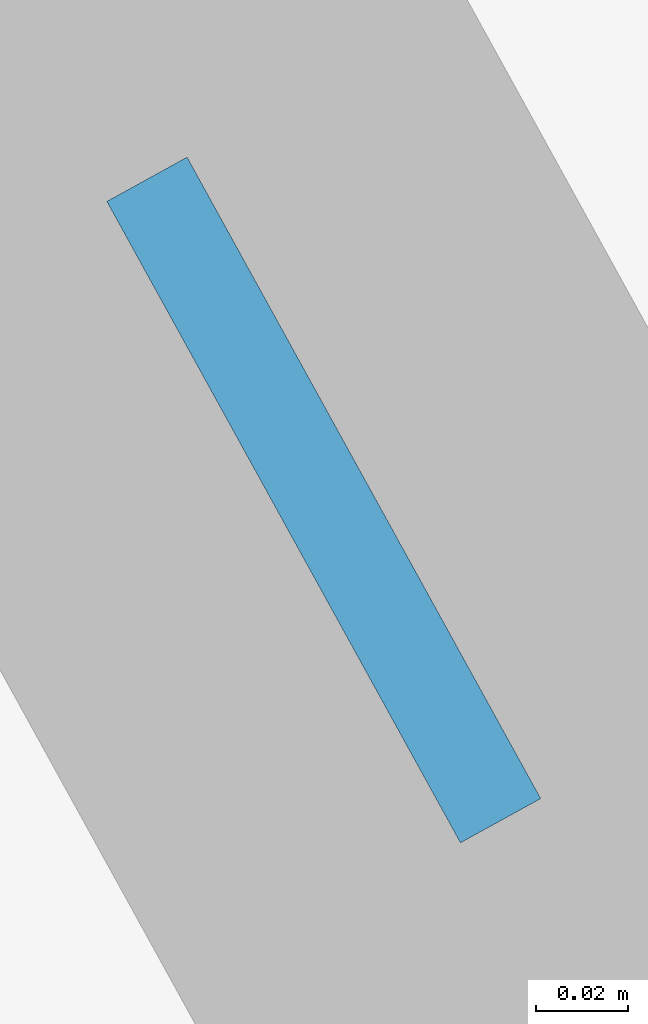
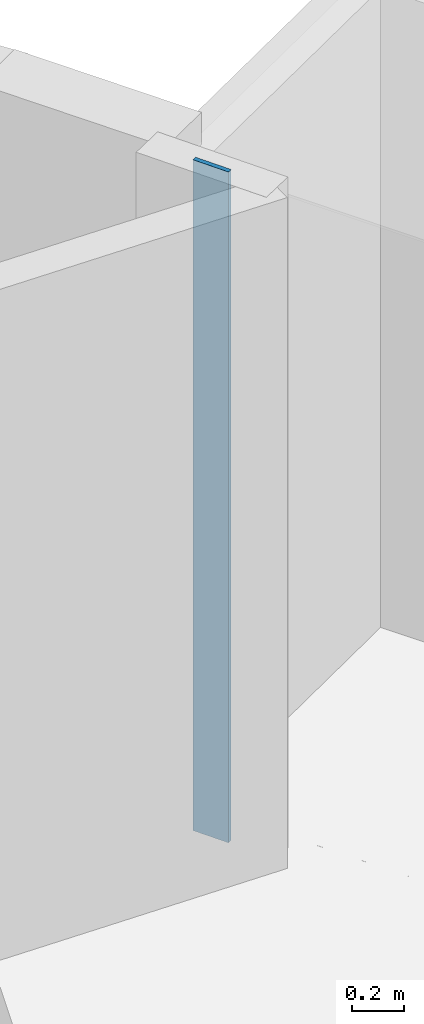
# One storey, part 3 of 9: 1 plate.
"""IFC4 building model written with IfcOpenShell, lengths in metres."""

from ifc_helpers import new_model, si_unit, direction, frame, origin, origin_2d, place, context, subcontext, project, spatial, rectangle, extrude, material, layer, layer_set, type_object, element, save


model = new_model("IFC4")

# Units and contexts
model_context = context("Model", 3, precision=1e-05, world=origin(), true_north=direction((0.0, 1.0)))
body_context = subcontext(model_context, "Body", "Model", "MODEL_VIEW")
ifc_project = project(units=[si_unit("LENGTHUNIT", "METRE"), si_unit("AREAUNIT", "SQUARE_METRE"), si_unit("VOLUMEUNIT", "CUBIC_METRE"), si_unit("PLANEANGLEUNIT", "RADIAN"), si_unit("MASSUNIT", "GRAM", prefix="KILO")], contexts=[model_context])

# Site, building, storey
site_placement = place(None, origin())
site = spatial("IfcSite", under=ifc_project, at=site_placement, CompositionType="ELEMENT")
building_placement = place(site_placement, origin())
building = spatial("IfcBuilding", under=site, at=building_placement, Name="Miruveldt Soraemaru", CompositionType="ELEMENT")
storey_placement = place(building_placement, frame((0.0, 0.0, 180.89990234375)))
storey = spatial("IfcBuildingStorey", under=building, at=storey_placement, Name="L50", CompositionType="ELEMENT", Elevation=180.89990234375)

# Plate
ifc_material = material(Name="Anodised aluminium EN AW-6063 T6", Category="aluminium")
ifc_layer = layer(ifc_material, 0.02001953125, Name="Anodised aluminium EN AW-6063 T6", Category="aluminium")
ifc_layer_set = layer_set([ifc_layer], Name="Anodised aluminium EN AW-6063 T6")
plate_type = type_object("IfcPlateType", Name="PLT-PART-TRIM", PredefinedType="SHEET", material=ifc_layer_set)
plate_placement = place(storey_placement, frame((56.688720703125, 54.822998046875, 0.000244140625), z_axis=(0.0, 0.0, 1.0), x_axis=(-0.482823924874, 0.875717453046, 0.0)))
element("IfcPlate", 1, at=plate_placement, inside=storey, type_object=plate_type, Name="L50 Partition Step Corner Trim Plate 001", PredefinedType="SHEET", context=body_context, shape_type="SweptSolid", body=[
    extrude(rectangle(XDim=0.159912109375, YDim=0.02001953125, at=origin_2d()), origin(), (0.0, 0.0, 1.0), 3.14990234375),
])

save(model, "model.ifc")
